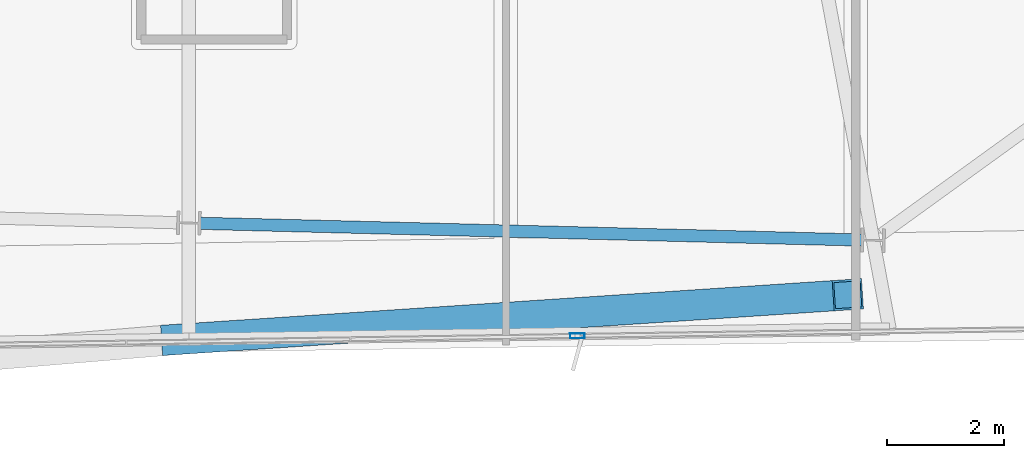
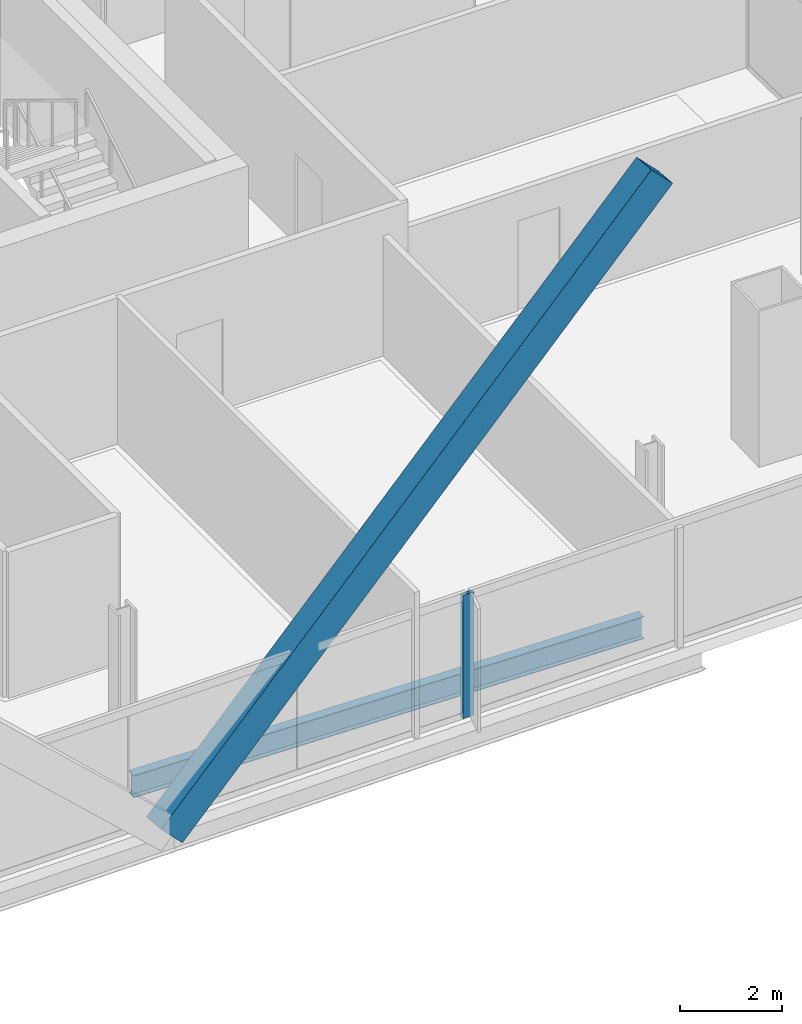
# One storey, part 5 of 25: 2 members, 1 beam, 1 element without a shape of its own.
"""IFC4 building model written with IfcOpenShell, lengths in metres."""

from ifc_helpers import new_model, si_unit, direction, frame, origin, origin_2d, place, context, subcontext, project, spatial, hollow_rectangle, i_section, extrude, material, material_profile, profile_set, type_object, element, aggregate, save


model = new_model("IFC4")

# Units and contexts
model_context = context("Model", 3, precision=1e-05, world=origin(), true_north=direction((0.0, 1.0)))
body_context = subcontext(model_context, "Body", "Model", "MODEL_VIEW")
ifc_project = project(units=[si_unit("LENGTHUNIT", "METRE"), si_unit("AREAUNIT", "SQUARE_METRE"), si_unit("VOLUMEUNIT", "CUBIC_METRE"), si_unit("PLANEANGLEUNIT", "RADIAN"), si_unit("MASSUNIT", "GRAM", prefix="KILO")], contexts=[model_context])

# Site, building, storey
site_placement = place(None, origin())
site = spatial("IfcSite", under=ifc_project, at=site_placement, CompositionType="ELEMENT")
building_placement = place(site_placement, origin())
building = spatial("IfcBuilding", under=site, at=building_placement, Name="Haldenkirk Collegiate Tower", CompositionType="ELEMENT")
storey_placement = place(building_placement, frame((0.0, 0.0, 332.699951171875)))
storey = spatial("IfcBuildingStorey", under=building, at=storey_placement, Name="L84", CompositionType="ELEMENT", Elevation=332.699951171875)

# Beam
ifc_material_1 = material(Name="Steel ASTM A992 Grade 50", Category="steel")
ifc_material_profile_1 = material_profile(ifc_material_1, i_section(OverallWidth=0.2099609375, OverallDepth=0.537109375, WebThickness=0.010986328125, FlangeThickness=0.017333984375, at=origin_2d()), Name="W21X68")
ifc_profile_set_1 = profile_set([ifc_material_profile_1], Name="Steel ASTM A992 Grade 50")
beam_type = type_object("IfcBeamType", Name="BM-SPANDREL-W21X68", PredefinedType="SPANDREL", material=ifc_profile_set_1)
beam_placement = place(storey_placement, frame((35.755615234375, 5.94970703125, -0.528564453125), z_axis=(0.999679850822, -0.025302092003, 0.0), x_axis=(0.025302092003, 0.999679850822, 0.0)))
element("IfcBeam", 1, at=beam_placement, inside=storey, type_object=beam_type, Name="L84 perimeter spandrel beam 15", PredefinedType="SPANDREL", context=body_context, shape_type="SweptSolid", body=[
    extrude(i_section(OverallWidth=0.2099609375, OverallDepth=0.537109375, WebThickness=0.010986328125, FlangeThickness=0.017333984375, at=origin_2d()), origin(), (0.0, 0.0, 1.0), 11.35693359375),
])

# Curtain wall, member
ifc_material_2 = material(Name="Anodised architectural bronze aluminium", Category="aluminium")
curtain_wall_type = type_object("IfcCurtainWallType", Name="CW-SYS1B-CONVEX-HI", PredefinedType="USERDEFINED", material=ifc_material_2)
curtain_wall_placement = place(storey_placement, origin())
curtain_wall = element("IfcCurtainWall", 2, at=curtain_wall_placement, inside=storey, type_object=curtain_wall_type, Name="L84 Upper tower high-wind convex bronze unitised curtain wall", ObjectType="UNITISED CURTAIN WALL", PredefinedType="USERDEFINED")
ifc_material_profile_2 = material_profile(ifc_material_2, hollow_rectangle(XDim=0.0849609375, YDim=0.25, WallThickness=0.0048828125, at=origin_2d()), Name="CW-MUL-1B")
ifc_profile_set_2 = profile_set([ifc_material_profile_2], Name="Anodised architectural bronze aluminium")
member_type_1 = type_object("IfcMemberType", Name="CW-MUL-1B", PredefinedType="MULLION", material=ifc_profile_set_2)
member_1_placement = place(storey_placement, frame((42.226806640625, 4.02001953125, 0.0), z_axis=(0.0, 0.0, 1.0), x_axis=(0.014833001798, -0.999889984977, 0.0)))
member_1 = element("IfcMember", 3, at=member_1_placement, type_object=member_type_1, Name="CW-1B mullion 2", PredefinedType="MULLION", context=body_context, shape_type="SweptSolid", body=[
    extrude(hollow_rectangle(XDim=0.0849609375, YDim=0.25, WallThickness=0.0048828125, at=origin_2d()), origin(), (0.0, 0.0, 1.0), 2.947998046875),
])
aggregate(curtain_wall, [member_1])

# Member
ifc_material_3 = material(Name="Steel ASTM A572 Grade 50", Category="steel")
ifc_material_profile_3 = material_profile(ifc_material_3, hollow_rectangle(XDim=0.52001953125, YDim=0.719970703125, WallThickness=0.035888671875, at=origin_2d()), Name="BOX720X520X36")
ifc_profile_set_3 = profile_set([ifc_material_profile_3], Name="Steel ASTM A572 Grade 50")
member_type_2 = type_object("IfcMemberType", Name="MBR-MEGABRACE-BOX720X520X36", PredefinedType="BRACE", material=ifc_profile_set_3)
member_2_placement = place(storey_placement, frame((35.350341796875, 3.9580078125, -0.27001953125), z_axis=(0.71443212612, 0.047569220637, 0.698085887564), x_axis=(-0.066436157018, 0.997790677968, 0.0)))
element("IfcMember", 4, at=member_2_placement, inside=storey, type_object=member_type_2, Name="Perimeter Mega Brace Z6 L84-L86 WR", PredefinedType="BRACE", context=body_context, shape_type="SweptSolid", body=[
    extrude(hollow_rectangle(XDim=0.52001953125, YDim=0.719970703125, WallThickness=0.035888671875, at=origin_2d()), origin(), (0.0, 0.0, 1.0), 16.115478515625),
])

save(model, "model.ifc")
